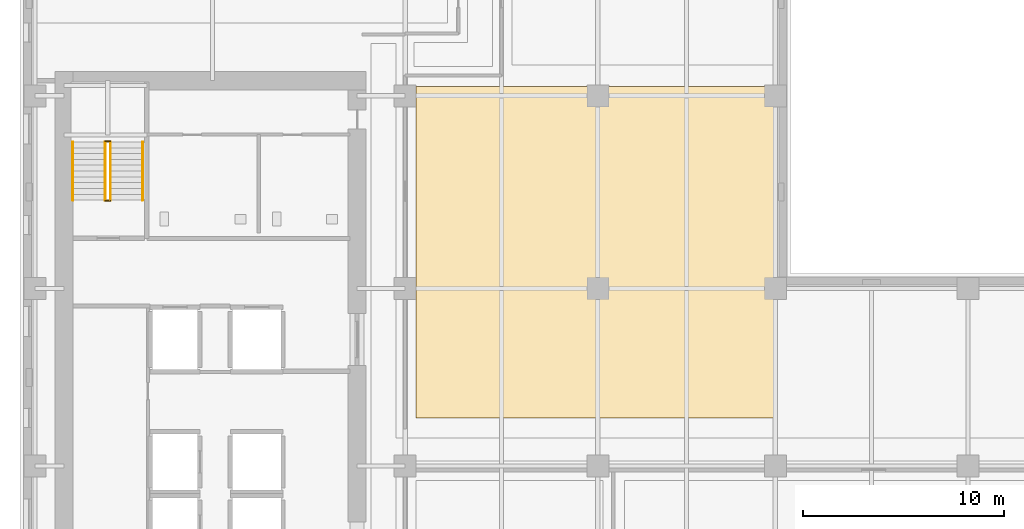
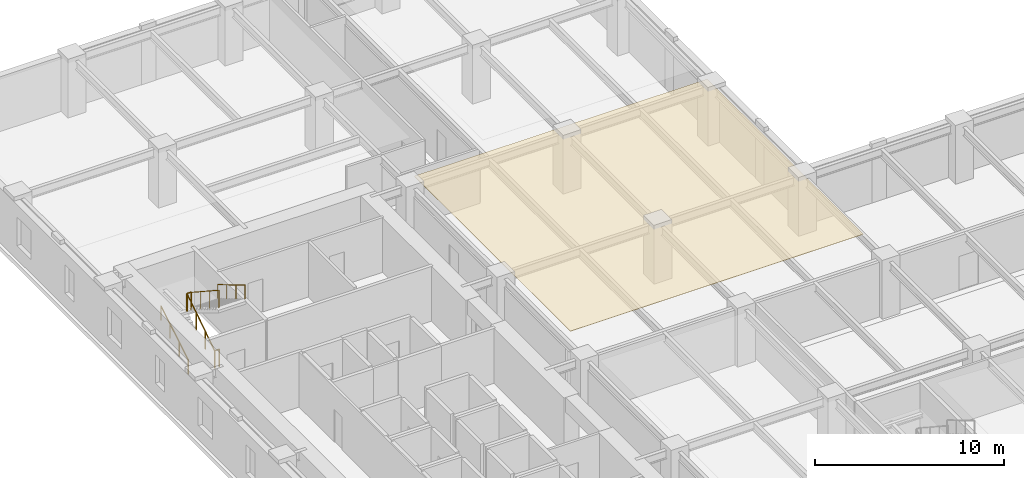
# One storey, part 12 of 14: 6 railings, 1 covering.
"""IFC4 building model written with IfcOpenShell, lengths in metres."""

from ifc_helpers import new_model, si_unit, direction, frame, origin, origin_2d, place, context, subcontext, project, spatial, polyline, circle, outline, extrude, material, layer, layer_set, type_object, element, save


model = new_model("IFC4")

# Units and contexts
model_context = context("Model", 3, precision=1e-05, world=origin(), true_north=direction((0.0, 1.0)))
body_context = subcontext(model_context, "Body", "Model", "MODEL_VIEW")
ifc_project = project(units=[si_unit("LENGTHUNIT", "METRE"), si_unit("AREAUNIT", "SQUARE_METRE"), si_unit("VOLUMEUNIT", "CUBIC_METRE"), si_unit("PLANEANGLEUNIT", "RADIAN"), si_unit("MASSUNIT", "GRAM", prefix="KILO")], contexts=[model_context])

# Site, building, storey
site_placement = place(None, origin())
site = spatial("IfcSite", under=ifc_project, at=site_placement, CompositionType="ELEMENT")
building_placement = place(site_placement, origin())
building = spatial("IfcBuilding", under=site, at=building_placement, Name="Norrvale University Quadrangle", CompositionType="ELEMENT")
storey_placement = place(building_placement, frame((0.0, 0.0, 73.60009765625)))
storey = spatial("IfcBuildingStorey", under=building, at=storey_placement, Name="L18", CompositionType="ELEMENT", Elevation=73.60009765625)

# Covering
ifc_material_1 = material(Name="Perforated Acoustic Mineral Ceiling")
ifc_layer = layer(ifc_material_1, 0.02490234375, Name="Perforated Acoustic Mineral Ceiling")
ifc_layer_set = layer_set([ifc_layer], Name="Perforated Acoustic Mineral Ceiling")
covering_type = type_object("IfcCoveringType", Name="Covering Acoustic Ceiling 25", PredefinedType="CEILING", material=ifc_layer_set)
covering_placement = place(storey_placement, frame((0.0, 0.0, 3.514892578125)))
element("IfcCovering", 1, at=covering_placement, inside=storey, type_object=covering_type, Name="Acoustic Ceiling RM-L18-MNE01", PredefinedType="CEILING", context=body_context, shape_type="SweptSolid", body=[
    extrude(outline(polyline([(19.72998046875, 47.719970703125), (37.64990234375, 47.719970703125), (37.64990234375, 31.179931640625), (19.72998046875, 31.179931640625), (19.72998046875, 47.719970703125)])), origin(), (0.0, 0.0, 1.0), 0.02490234375),
])

# Railings
ifc_material_2 = material(Name="Steel 350W Painted Balustrade", Category="steel")
railing_type_1 = type_object("IfcRailingType", Name="Railing Stair Guard 1100", PredefinedType="GUARDRAIL", material=ifc_material_2)
for number, where, name in (
    (2, (4.239990234375, 42.02001953125, 0.0), "Stair Floor Well Guard ST-02 L18"),
    (3, (4.239990234375, 44.97998046875, 1.89990234375), "Stair Mid-Landing Slot Guard ST-02 L18"),
):
    element("IfcRailing", number, at=place(storey_placement, frame(where)), inside=storey, type_object=railing_type_1, Name=name, PredefinedType="GUARDRAIL", context=body_context, shape_type="SweptSolid", body=[
        extrude(circle(Radius=0.02392578125, at=origin_2d()), frame((0.0, 0.0, 1.1259765625), z_axis=(1.0, 0.0, 0.0), x_axis=(0.0, 1.0, 0.0)), (0.0, 0.0, 1.0), 0.27001953125),
        extrude(circle(Radius=0.02099609375, at=origin_2d()), origin(), (0.0, 0.0, 1.0), 1.101806640625),
        extrude(circle(Radius=0.02099609375, at=origin_2d()), frame((0.27001953125, 0.0, 0.0)), (0.0, 0.0, 1.0), 1.101806640625),
    ])
railing_1_placement = place(storey_placement, frame((4.239990234375, 42.050048828125, 0.0)))
element("IfcRailing", 4, at=railing_1_placement, inside=storey, type_object=railing_type_1, Name="Stair Lower Flight Inner Guard ST-02 L18", PredefinedType="GUARDRAIL", context=body_context, shape_type="SweptSolid", body=[
    extrude(circle(Radius=0.02392578125, at=origin_2d()), frame((0.0, 0.0, 1.1259765625), z_axis=(0.0, 0.836465582154, 0.548019461216), x_axis=(-1.0, 0.0, 0.0)), (0.0, 0.0, 1.0), 3.466796875),
    extrude(circle(Radius=0.02099609375, at=origin_2d()), origin(), (0.0, 0.0, 1.0), 1.101806640625),
    extrude(circle(Radius=0.02099609375, at=origin_2d()), frame((0.0, 0.966552734375, 0.63330078125)), (0.0, 0.0, 1.0), 1.101806640625),
    extrude(circle(Radius=0.02099609375, at=origin_2d()), frame((0.0, 1.933349609375, 1.2666015625)), (0.0, 0.0, 1.0), 1.101806640625),
    extrude(circle(Radius=0.02099609375, at=origin_2d()), frame((0.0, 2.89990234375, 1.89990234375)), (0.0, 0.0, 1.0), 1.101806640625),
])
railing_2_placement = place(storey_placement, frame((4.510009765625, 44.949951171875, 1.89990234375)))
element("IfcRailing", 5, at=railing_2_placement, inside=storey, type_object=railing_type_1, Name="Stair Upper Flight Inner Guard ST-02 L18", PredefinedType="GUARDRAIL", context=body_context, shape_type="SweptSolid", body=[
    extrude(circle(Radius=0.02392578125, at=origin_2d()), frame((0.0, 0.0, 1.1259765625), z_axis=(0.0, -0.836465582154, 0.548019461216), x_axis=(1.0, 0.0, 0.0)), (0.0, 0.0, 1.0), 3.466796875),
    extrude(circle(Radius=0.02099609375, at=origin_2d()), origin(), (0.0, 0.0, 1.0), 1.101806640625),
    extrude(circle(Radius=0.02099609375, at=origin_2d()), frame((0.0, -0.966552734375, 0.63330078125)), (0.0, 0.0, 1.0), 1.101806640625),
    extrude(circle(Radius=0.02099609375, at=origin_2d()), frame((0.0, -1.933349609375, 1.2666015625)), (0.0, 0.0, 1.0), 1.101806640625),
    extrude(circle(Radius=0.02099609375, at=origin_2d()), frame((0.0, -2.89990234375, 1.89990234375)), (0.0, 0.0, 1.0), 1.101806640625),
])
ifc_material_3 = material(Name="Stainless Steel 316L Handrail", Category="steel")
railing_type_2 = type_object("IfcRailingType", Name="Railing Stair Handrail 920", PredefinedType="HANDRAIL", material=ifc_material_3)
railing_3_placement = place(storey_placement, frame((2.639892578125, 42.050048828125, 0.172607421875)))
element("IfcRailing", 6, at=railing_3_placement, inside=storey, type_object=railing_type_2, Name="Stair Lower Flight Handrail ST-02 L18", PredefinedType="HANDRAIL", context=body_context, shape_type="SweptSolid", body=[
    extrude(circle(Radius=0.02392578125, at=origin_2d()), frame((0.0, 0.0, 0.89599609375), z_axis=(0.0, 0.859141464434, 0.511738159696), x_axis=(-1.0, 0.0, 0.0)), (0.0, 0.0, 1.0), 3.375244140625),
    extrude(circle(Radius=0.02099609375, at=origin_2d()), origin(), (0.0, 0.0, 1.0), 0.871826171875),
    extrude(circle(Radius=0.02099609375, at=origin_2d()), frame((0.0, 0.966552734375, 0.57568359375)), (0.0, 0.0, 1.0), 0.871826171875),
    extrude(circle(Radius=0.02099609375, at=origin_2d()), frame((0.0, 1.933349609375, 1.151611328125)), (0.0, 0.0, 1.0), 0.871826171875),
    extrude(circle(Radius=0.02099609375, at=origin_2d()), frame((0.0, 2.89990234375, 1.727294921875)), (0.0, 0.0, 1.0), 0.871826171875),
])
railing_4_placement = place(storey_placement, frame((6.110107421875, 44.949951171875, 2.072509765625)))
element("IfcRailing", 7, at=railing_4_placement, inside=storey, type_object=railing_type_2, Name="Stair Upper Flight Handrail ST-02 L18", PredefinedType="HANDRAIL", context=body_context, shape_type="SweptSolid", body=[
    extrude(circle(Radius=0.02392578125, at=origin_2d()), frame((0.0, 0.0, 0.89599609375), z_axis=(0.0, -0.859141464434, 0.511738159696), x_axis=(1.0, 0.0, 0.0)), (0.0, 0.0, 1.0), 3.375244140625),
    extrude(circle(Radius=0.02099609375, at=origin_2d()), origin(), (0.0, 0.0, 1.0), 0.871826171875),
    extrude(circle(Radius=0.02099609375, at=origin_2d()), frame((0.0, -0.966552734375, 0.57568359375)), (0.0, 0.0, 1.0), 0.871826171875),
    extrude(circle(Radius=0.02099609375, at=origin_2d()), frame((0.0, -1.933349609375, 1.151611328125)), (0.0, 0.0, 1.0), 0.871826171875),
    extrude(circle(Radius=0.02099609375, at=origin_2d()), frame((0.0, -2.89990234375, 1.727294921875)), (0.0, 0.0, 1.0), 0.871826171875),
])

save(model, "model.ifc")
